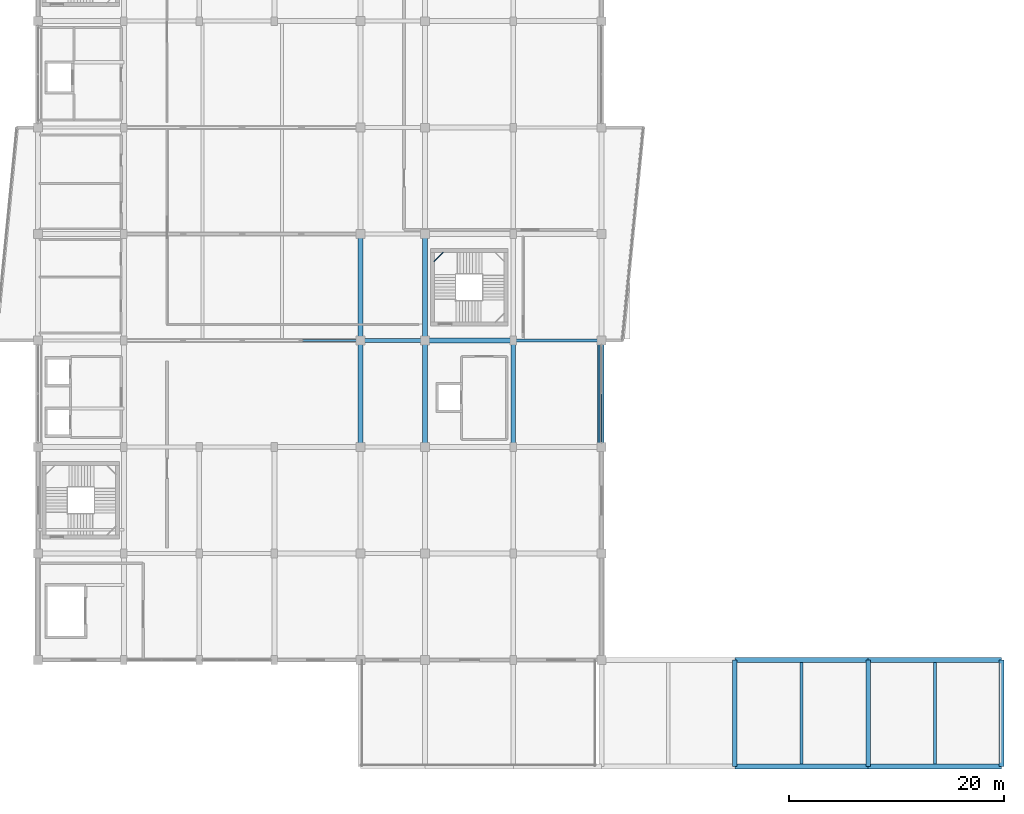
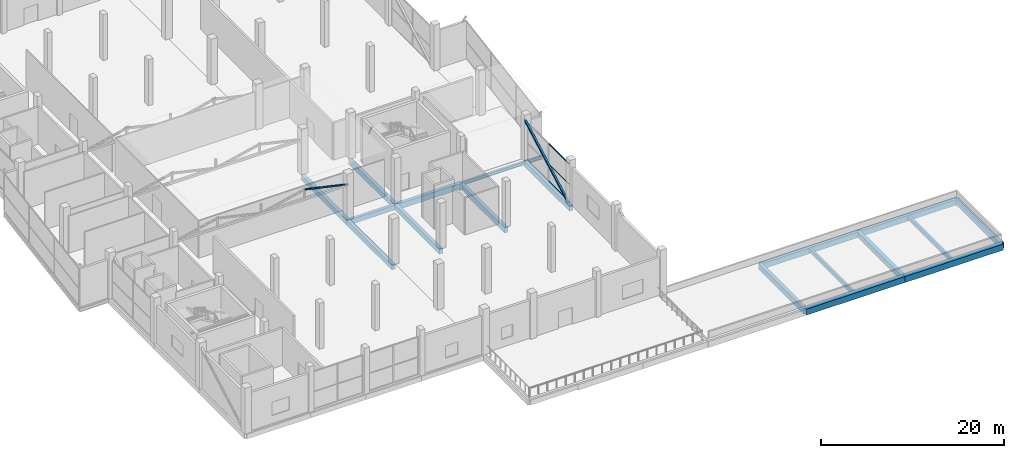
# One storey, part 18 of 58: 19 beams, 5 members, 1 element without a shape of its own.
"""IFC4 building model written with IfcOpenShell, lengths in metres."""

from ifc_helpers import new_model, si_unit, direction, frame, origin, origin_2d, place, context, subcontext, project, spatial, rectangle, hollow_rectangle, i_section, extrude, material, layer, layer_set, material_profile, profile_set, type_object, element, aggregate, save


model = new_model("IFC4")

# Units and contexts
model_context = context("Model", 3, precision=1e-05, world=origin(), true_north=direction((0.0, 1.0)))
body_context = subcontext(model_context, "Body", "Model", "MODEL_VIEW")
ifc_project = project(units=[si_unit("LENGTHUNIT", "METRE"), si_unit("AREAUNIT", "SQUARE_METRE"), si_unit("VOLUMEUNIT", "CUBIC_METRE"), si_unit("PLANEANGLEUNIT", "RADIAN"), si_unit("MASSUNIT", "GRAM", prefix="KILO")], contexts=[model_context])

# Site, building, storey
site_placement = place(None, origin())
site = spatial("IfcSite", under=ifc_project, at=site_placement, CompositionType="ELEMENT")
building_placement = place(site_placement, origin())
building = spatial("IfcBuilding", under=site, at=building_placement, Name="Sillaruma Civic Art Gallery", CompositionType="ELEMENT")
storey_placement = place(building_placement, frame((0.0, 0.0, 22.43994140625)))
storey = spatial("IfcBuildingStorey", under=building, at=storey_placement, Name="L04", CompositionType="ELEMENT", Elevation=22.43994140625)

# Beams
ifc_material_1 = material(Name="Concrete H35 (35 MPa)", Category="concrete")
ifc_material_profile_1 = material_profile(ifc_material_1, rectangle(XDim=0.39990234375, YDim=0.64990234375, at=origin_2d()), Name="RCB400x650")
ifc_profile_set_1 = profile_set([ifc_material_profile_1], Name="Concrete H35 (35 MPa)")
beam_type_1 = type_object("IfcBeamType", Name="BM-BEAM-RCB400x650", PredefinedType="BEAM", material=ifc_profile_set_1)
beam_1_placement = place(storey_placement, frame((92.0, 49.5, -0.5849609375), z_axis=(1.0, 0.0, 0.0), x_axis=(0.0, 1.0, 0.0)))
element("IfcBeam", 1, at=beam_1_placement, inside=storey, type_object=beam_type_1, Name="Beam BM-05 (L03:6:K-L)", PredefinedType="BEAM", context=body_context, shape_type="SweptSolid", body=[
    extrude(rectangle(XDim=0.39990234375, YDim=0.64990234375, at=origin_2d()), origin(), (0.0, 0.0, 1.0), 6.0),
])
ifc_material_2 = material(Name="Concrete H40 (40 MPa)", Category="concrete")
ifc_material_profile_2 = material_profile(ifc_material_2, rectangle(XDim=0.449951171875, YDim=0.75, at=origin_2d()), Name="RCB450x750")
ifc_profile_set_2 = profile_set([ifc_material_profile_2], Name="Concrete H40 (40 MPa)")
beam_type_2 = type_object("IfcBeamType", Name="BM-BEAM-RCB450x750", PredefinedType="BEAM", material=ifc_profile_set_2)
beam_2_placement = place(storey_placement, frame((98.0, 49.5, -0.635009765625), z_axis=(1.0, 0.0, 0.0), x_axis=(0.0, 1.0, 0.0)))
element("IfcBeam", 2, at=beam_2_placement, inside=storey, type_object=beam_type_2, Name="Beam BM-03 (L03:6:L-M)", PredefinedType="BEAM", context=body_context, shape_type="SweptSolid", body=[
    extrude(rectangle(XDim=0.449951171875, YDim=0.75, at=origin_2d()), origin(), (0.0, 0.0, 1.0), 8.199951171875),
])
beam_3_placement = place(storey_placement, frame((106.199951171875, 39.60009765625, -0.635009765625), z_axis=(0.0, 1.0, 0.0), x_axis=(-1.0, 0.0, 0.0)))
element("IfcBeam", 3, at=beam_3_placement, inside=storey, type_object=beam_type_2, Name="Beam BM-03 (L03:M:5-6)", PredefinedType="BEAM", context=body_context, shape_type="SweptSolid", body=[
    extrude(rectangle(XDim=0.449951171875, YDim=0.75, at=origin_2d()), origin(), (0.0, 0.0, 1.0), 9.89990234375),
])
for number, where, z_axis, x_axis, name in (
    (4, (126.800048828125, 9.89990234375, -0.635009765625), (0.0, 1.0, 0.0), (-1.0, 0.0, 0.0), "Beam BM-03 (L03:P:2-3)"),
    (5, (139.199951171875, 9.89990234375, -0.635009765625), (0.0, 1.0, 0.0), (-1.0, 0.0, 0.0), "Beam BM-03 (L03:Q:2-3)"),
    (6, (151.60009765625, 9.89990234375, -0.635009765625), (0.0, 1.0, 0.0), (-1.0, 0.0, 0.0), "Beam BM-03 (L03:R:2-3)"),
):
    element("IfcBeam", number, at=place(storey_placement, frame(where, z_axis=z_axis, x_axis=x_axis)), inside=storey, type_object=beam_type_2, Name=name, PredefinedType="BEAM", context=body_context, shape_type="SweptSolid", body=[
        extrude(rectangle(XDim=0.449951171875, YDim=0.75, at=origin_2d()), origin(), (0.0, 0.0, 1.0), 9.900146484375),
    ])
ifc_material_profile_3 = material_profile(ifc_material_2, rectangle(XDim=0.5, YDim=0.800048828125, at=origin_2d()), Name="RCB500x800")
ifc_profile_set_3 = profile_set([ifc_material_profile_3], Name="Concrete H40 (40 MPa)")
beam_type_3 = type_object("IfcBeamType", Name="BM-BEAM-RCB500x800", PredefinedType="BEAM", material=ifc_profile_set_3)
beam_4_placement = place(storey_placement, frame((126.800048828125, 9.89990234375, -0.659912109375), z_axis=(1.0, 0.0, 0.0), x_axis=(0.0, 1.0, 0.0)))
element("IfcBeam", 7, at=beam_4_placement, inside=storey, type_object=beam_type_3, Name="Beam BM-02 (L03:2:P-Q)", PredefinedType="BEAM", context=body_context, shape_type="SweptSolid", body=[
    extrude(rectangle(XDim=0.5, YDim=0.800048828125, at=origin_2d()), origin(), (0.0, 0.0, 1.0), 12.39990234375),
])
beam_5_placement = place(storey_placement, frame((139.199951171875, 9.89990234375, -0.659912109375), z_axis=(1.0, 0.0, 0.0), x_axis=(0.0, 1.0, 0.0)))
element("IfcBeam", 8, at=beam_5_placement, inside=storey, type_object=beam_type_3, Name="Beam BM-02 (L03:2:Q-R)", PredefinedType="BEAM", context=body_context, shape_type="SweptSolid", body=[
    extrude(rectangle(XDim=0.5, YDim=0.800048828125, at=origin_2d()), origin(), (0.0, 0.0, 1.0), 12.400146484375),
])
ifc_material_profile_4 = material_profile(ifc_material_1, rectangle(XDim=0.300048828125, YDim=0.52001953125, at=origin_2d()), Name="RCB300x520")
ifc_profile_set_4 = profile_set([ifc_material_profile_4], Name="Concrete H35 (35 MPa)")
beam_type_4 = type_object("IfcBeamType", Name="BM-JOIST-RCB300x520", PredefinedType="JOIST", material=ifc_profile_set_4)
for number, where, z_axis, x_axis, name in (
    (9, (133.0, 10.14990234375, -0.52001953125), (0.0, 1.0, 0.0), (-1.0, 0.0, 0.0), "Floor Joist JR-01 (L03:PQ:2-3)"),
    (10, (145.39990234375, 10.14990234375, -0.52001953125), (0.0, 1.0, 0.0), (-1.0, 0.0, 0.0), "Floor Joist JR-01 (L03:QR:2-3)"),
):
    element("IfcBeam", number, at=place(storey_placement, frame(where, z_axis=z_axis, x_axis=x_axis)), inside=storey, type_object=beam_type_4, Name=name, PredefinedType="JOIST", context=body_context, shape_type="SweptSolid", body=[
        extrude(rectangle(XDim=0.300048828125, YDim=0.52001953125, at=origin_2d()), origin(), (0.0, 0.0, 1.0), 9.425048828125),
    ])
ifc_material_3 = material(Name="Structural Steel ASTM A500 Gr.C", Category="steel")
ifc_material_profile_5 = material_profile(ifc_material_3, hollow_rectangle(XDim=0.080078125, YDim=0.159912109375, WallThickness=0.008056640625, InnerFilletRadius=0.008056640625, OuterFilletRadius=0.01611328125, at=origin_2d()), Name="HSS160x80x8")
ifc_profile_set_5 = profile_set([ifc_material_profile_5], Name="Structural Steel ASTM A500 Gr.C")
beam_type_5 = type_object("IfcBeamType", Name="BM-LND-HSS160", PredefinedType="BEAM", material=ifc_profile_set_5)
beam_6_placement = place(storey_placement, frame((98.820068359375, 56.840087890625, 4.31005859375), z_axis=(0.707106781187, 0.707106781187, 0.0), x_axis=(-0.707106781187, 0.707106781187, 0.0)))
element("IfcBeam", 11, at=beam_6_placement, inside=storey, type_object=beam_type_5, Name="Stair Corner Landing Trimmer Beam (ST-04-L04-3)", PredefinedType="BEAM", context=body_context, shape_type="SweptSolid", body=[
    extrude(hollow_rectangle(XDim=0.080078125, YDim=0.159912109375, WallThickness=0.008056640625, InnerFilletRadius=0.008056640625, OuterFilletRadius=0.01611328125, at=origin_2d()), origin(), (0.0, 0.0, 1.0), 1.258544921875),
])
ifc_material_4 = material(Name="Structural Steel ASTM A992 Gr.50", Category="steel")
ifc_material_profile_6 = material_profile(ifc_material_4, i_section(OverallWidth=0.264892578125, OverallDepth=0.430908203125, WebThickness=0.014892578125, FlangeThickness=0.02490234375, FilletRadius=0.012939453125, at=origin_2d()), Name="W410x149")
ifc_profile_set_6 = profile_set([ifc_material_profile_6], Name="Structural Steel ASTM A992 Gr.50")
beam_type_6 = type_object("IfcBeamType", Name="BM-PROW-W410x149", PredefinedType="BEAM", material=ifc_profile_set_6)
beam_7_placement = place(storey_placement, frame((106.199951171875, 49.5, -0.475341796875), z_axis=(1.0, 0.0, 0.0), x_axis=(0.0, 1.0, 0.0)))
element("IfcBeam", 12, at=beam_7_placement, inside=storey, type_object=beam_type_6, Name="Back-Spanned Prow Beam (PRW-L04-E-FLR-S)", PredefinedType="BEAM", context=body_context, shape_type="SweptSolid", body=[
    extrude(i_section(OverallWidth=0.264892578125, OverallDepth=0.430908203125, WebThickness=0.014892578125, FlangeThickness=0.02490234375, FilletRadius=0.012939453125, at=origin_2d()), origin(), (0.0, 0.0, 1.0), 10.150146484375),
])
ifc_material_profile_7 = material_profile(ifc_material_1, rectangle(XDim=0.449951171875, YDim=0.699951171875, at=origin_2d()), Name="RCB450x700")
ifc_profile_set_7 = profile_set([ifc_material_profile_7], Name="Concrete H35 (35 MPa)")
beam_type_7 = type_object("IfcBeamType", Name="BM-SPANDREL-RCB450x700", PredefinedType="SPANDREL", material=ifc_profile_set_7)
for number, where, z_axis, x_axis, name in (
    (13, (92.0, 39.60009765625, -0.60986328125), (0.0, 1.0, 0.0), (-1.0, 0.0, 0.0), "Beam BS-03 (L03:K:5-6)"),
    (14, (92.0, 49.5, -0.60986328125), (0.0, 1.0, 0.0), (-1.0, 0.0, 0.0), "Beam BS-03 (L03:K:6-7)"),
    (15, (98.0, 39.60009765625, -0.60986328125), (0.0, 1.0, 0.0), (-1.0, 0.0, 0.0), "Beam BS-03 (L03:L:5-6)"),
    (16, (98.0, 49.5, -0.60986328125), (0.0, 1.0, 0.0), (-1.0, 0.0, 0.0), "Beam BS-03 (L03:L:6-7)"),
    (17, (114.39990234375, 39.60009765625, -0.60986328125), (0.0, 1.0, 0.0), (-1.0, 0.0, 0.0), "Beam BS-03 (L03:N:5-6)"),
):
    element("IfcBeam", number, at=place(storey_placement, frame(where, z_axis=z_axis, x_axis=x_axis)), inside=storey, type_object=beam_type_7, Name=name, PredefinedType="SPANDREL", context=body_context, shape_type="SweptSolid", body=[
        extrude(rectangle(XDim=0.449951171875, YDim=0.699951171875, at=origin_2d()), origin(), (0.0, 0.0, 1.0), 9.89990234375),
    ])
ifc_material_profile_8 = material_profile(ifc_material_2, rectangle(XDim=0.449951171875, YDim=0.75, at=origin_2d()), Name="RCB450x750")
ifc_profile_set_8 = profile_set([ifc_material_profile_8], Name="Concrete H40 (40 MPa)")
beam_type_8 = type_object("IfcBeamType", Name="BM-SPANDREL-RCB450x750", PredefinedType="SPANDREL", material=ifc_profile_set_8)
beam_8_placement = place(storey_placement, frame((126.800048828125, 19.800048828125, -0.635009765625), z_axis=(1.0, 0.0, 0.0), x_axis=(0.0, 1.0, 0.0)))
element("IfcBeam", 18, at=beam_8_placement, inside=storey, type_object=beam_type_8, Name="Beam BS-01 (L03:3:P-Q)", PredefinedType="SPANDREL", context=body_context, shape_type="SweptSolid", body=[
    extrude(rectangle(XDim=0.449951171875, YDim=0.75, at=origin_2d()), origin(), (0.0, 0.0, 1.0), 12.39990234375),
])
beam_9_placement = place(storey_placement, frame((139.199951171875, 19.800048828125, -0.635009765625), z_axis=(1.0, 0.0, 0.0), x_axis=(0.0, 1.0, 0.0)))
element("IfcBeam", 19, at=beam_9_placement, inside=storey, type_object=beam_type_8, Name="Beam BS-01 (L03:3:Q-R)", PredefinedType="SPANDREL", context=body_context, shape_type="SweptSolid", body=[
    extrude(rectangle(XDim=0.449951171875, YDim=0.75, at=origin_2d()), origin(), (0.0, 0.0, 1.0), 12.400146484375),
])

# Members
ifc_material_profile_9 = material_profile(ifc_material_3, hollow_rectangle(XDim=0.179931640625, YDim=0.179931640625, WallThickness=0.010009765625, InnerFilletRadius=0.010009765625, OuterFilletRadius=0.02001953125, at=origin_2d()), Name="HSS180x180x10")
ifc_profile_set_9 = profile_set([ifc_material_profile_9], Name="Structural Steel ASTM A500 Gr.C")
member_type_1 = type_object("IfcMemberType", Name="MEM-BRACE-HSS180x180x10", PredefinedType="BRACE", material=ifc_profile_set_9)
member_1_placement = place(storey_placement, frame((86.5, 49.5, 5.654052734375), z_axis=(0.975552224414, 0.0, -0.219767735214), x_axis=(0.0, 1.0, 0.0)))
element("IfcMember", 20, at=member_1_placement, inside=storey, type_object=member_type_1, Name="Warren Truss Diagonal TR-L04-1-D4", PredefinedType="BRACE", context=body_context, shape_type="SweptSolid", body=[
    extrude(hollow_rectangle(XDim=0.179931640625, YDim=0.179931640625, WallThickness=0.010009765625, InnerFilletRadius=0.010009765625, OuterFilletRadius=0.02001953125, at=origin_2d()), origin(), (0.0, 0.0, 1.0), 5.637939453125),
])
ifc_material_profile_10 = material_profile(ifc_material_3, hollow_rectangle(XDim=0.25, YDim=0.25, WallThickness=0.012451171875, InnerFilletRadius=0.012451171875, OuterFilletRadius=0.02490234375, at=origin_2d()), Name="HSS250x250x12.5")
ifc_profile_set_10 = profile_set([ifc_material_profile_10], Name="Structural Steel ASTM A500 Gr.C")
member_type_2 = type_object("IfcMemberType", Name="MEM-MEGA-BRACE", PredefinedType="BRACE", material=ifc_profile_set_10)
member_2_placement = place(storey_placement, frame((114.14990234375, 39.780029296875, 0.1201171875), z_axis=(0.0, 0.873386545904, 0.487027659823), x_axis=(-1.0, 0.0, 0.0)))
element("IfcMember", 21, at=member_2_placement, inside=storey, type_object=member_type_2, Name="Gallery Spine Diagonal Steel Brace (L04-E1)", PredefinedType="BRACE", context=body_context, shape_type="SweptSolid", body=[
    extrude(hollow_rectangle(XDim=0.25, YDim=0.25, WallThickness=0.012451171875, InnerFilletRadius=0.012451171875, OuterFilletRadius=0.02490234375, at=origin_2d()), origin(), (0.0, 0.0, 1.0), 10.923095703125),
])

# Curtain wall, members
ifc_material_5 = material(Name="Thermally Broken Extruded Aluminium 6063-T6", Category="aluminium")
ifc_layer = layer(ifc_material_5, 0.179931640625, Name="Thermally Broken Extruded Aluminium 6063-T6")
ifc_layer_set = layer_set([ifc_layer], Name="Thermally Broken Extruded Aluminium 6063-T6")
curtain_wall_type = type_object("IfcCurtainWallType", Name="CW-UNI-22", PredefinedType="NOTDEFINED", material=ifc_layer_set)
curtain_wall_placement = place(storey_placement, origin())
curtain_wall = element("IfcCurtainWall", 22, at=curtain_wall_placement, inside=storey, type_object=curtain_wall_type, Name="Unitised Curtain Wall CW-22 (CW-L04-E-3)", PredefinedType="NOTDEFINED")
ifc_material_profile_11 = material_profile(ifc_material_5, hollow_rectangle(XDim=0.070068359375, YDim=0.139892578125, WallThickness=0.00390625, at=origin_2d()), Name="CWT70x140")
ifc_profile_set_11 = profile_set([ifc_material_profile_11], Name="Thermally Broken Extruded Aluminium 6063-T6")
member_type_3 = type_object("IfcMemberType", Name="MEM-TRN-CWT70x140", PredefinedType="USERDEFINED", material=ifc_profile_set_11)
member_3_placement = place(storey_placement, frame((114.39990234375, 40.070068359375, 0.03515625), z_axis=(0.0, 1.0, 0.0), x_axis=(-1.0, 0.0, 0.0)))
member_3 = element("IfcMember", 23, at=member_3_placement, type_object=member_type_3, Name="CW-22 transom 1.1", ObjectType="TRANSOM", PredefinedType="USERDEFINED", context=body_context, shape_type="SweptSolid", body=[
    extrude(hollow_rectangle(XDim=0.070068359375, YDim=0.139892578125, WallThickness=0.00390625, at=origin_2d()), origin(), (0.0, 0.0, 1.0), 4.44482421875),
])
member_4_placement = place(storey_placement, frame((114.39990234375, 40.070068359375, 2.32763671875), z_axis=(0.0, 1.0, 0.0), x_axis=(-1.0, 0.0, 0.0)))
member_4 = element("IfcMember", 24, at=member_4_placement, type_object=member_type_3, Name="CW-22 transom 1.2", ObjectType="TRANSOM", PredefinedType="USERDEFINED", context=body_context, shape_type="SweptSolid", body=[
    extrude(hollow_rectangle(XDim=0.070068359375, YDim=0.139892578125, WallThickness=0.00390625, at=origin_2d()), origin(), (0.0, 0.0, 1.0), 4.44482421875),
])
member_5_placement = place(storey_placement, frame((114.39990234375, 40.070068359375, 5.025146484375), z_axis=(0.0, 1.0, 0.0), x_axis=(-1.0, 0.0, 0.0)))
member_5 = element("IfcMember", 25, at=member_5_placement, type_object=member_type_3, Name="CW-22 transom 1.3", ObjectType="TRANSOM", PredefinedType="USERDEFINED", context=body_context, shape_type="SweptSolid", body=[
    extrude(hollow_rectangle(XDim=0.070068359375, YDim=0.139892578125, WallThickness=0.00390625, at=origin_2d()), origin(), (0.0, 0.0, 1.0), 4.44482421875),
])
aggregate(curtain_wall, [member_3, member_4, member_5])

save(model, "model.ifc")
